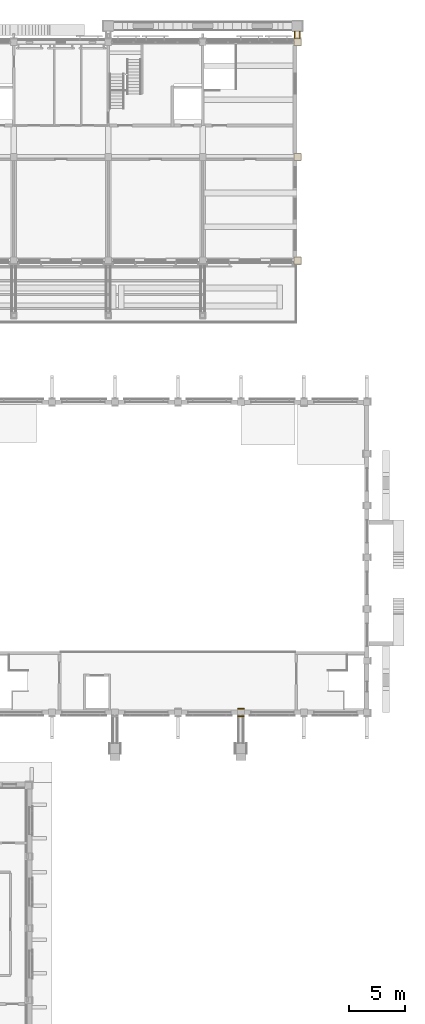
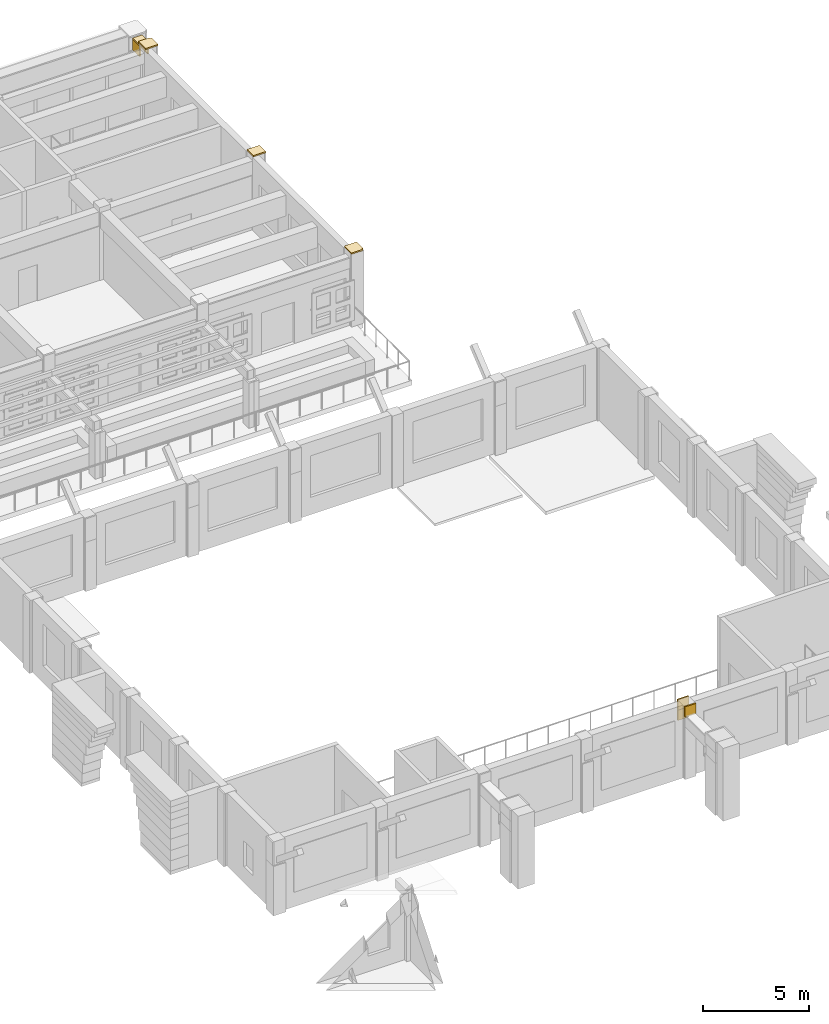
# One storey, part 68 of 68: 9 coverings.
"""IFC4 building model written with IfcOpenShell, lengths in metres."""

from ifc_helpers import new_model, si_unit, direction, frame, origin, place, context, subcontext, project, spatial, polyline, outline, extrude, material, layer, layer_set, type_object, element, save


model = new_model("IFC4")

# Units and contexts
model_context = context("Model", 3, precision=1e-05, world=origin(), true_north=direction((0.0, 1.0)))
body_context = subcontext(model_context, "Body", "Model", "MODEL_VIEW")
ifc_project = project(units=[si_unit("LENGTHUNIT", "METRE"), si_unit("AREAUNIT", "SQUARE_METRE"), si_unit("VOLUMEUNIT", "CUBIC_METRE"), si_unit("PLANEANGLEUNIT", "RADIAN"), si_unit("MASSUNIT", "GRAM", prefix="KILO")], contexts=[model_context])

# Site, building, storey
site_placement = place(None, origin())
site = spatial("IfcSite", under=ifc_project, at=site_placement, CompositionType="ELEMENT")
building_placement = place(site_placement, origin())
building = spatial("IfcBuilding", under=site, at=building_placement, Name="Wasatch Bagh Community Centre", CompositionType="ELEMENT")
storey_placement = place(building_placement, frame((0.0, 0.0, 8.39990234375)))
storey = spatial("IfcBuildingStorey", under=building, at=storey_placement, Name="L02", CompositionType="ELEMENT", Elevation=8.39990234375)

# Coverings
ifc_material = material(Name="Cast stone cladding", Category="masonry")
ifc_layer_1 = layer(ifc_material, 0.080078125)
ifc_layer_set_1 = layer_set([ifc_layer_1], Name="Cast stone cladding")
covering_type_1 = type_object("IfcCoveringType", Name="CL-B7 beam facing", PredefinedType="CLADDING", material=ifc_layer_set_1)
covering_1_placement = place(storey_placement, frame((0.0, 0.0, 3.400146484375)))
element("IfcCovering", 1, at=covering_1_placement, inside=storey, type_object=covering_type_1, Name="Beam facing", PredefinedType="CLADDING", context=body_context, shape_type="SweptSolid", body=[
    extrude(outline(polyline([(139.425048828125, 98.14990234375), (139.425048828125, 98.800048828125), (139.344970703125, 98.800048828125), (139.344970703125, 98.14990234375), (139.425048828125, 98.14990234375)])), origin(), (0.0, 0.0, 1.0), 0.599853515625),
])
covering_2_placement = place(storey_placement, frame((0.0, 0.0, 3.400146484375)))
element("IfcCovering", 2, at=covering_2_placement, inside=storey, type_object=covering_type_1, Name="Beam facing", PredefinedType="CLADDING", context=body_context, shape_type="SweptSolid", body=[
    extrude(outline(polyline([(139.77490234375, 98.14990234375), (139.77490234375, 98.800048828125), (139.85498046875, 98.800048828125), (139.85498046875, 98.14990234375), (139.77490234375, 98.14990234375)])), origin(), (0.0, 0.0, 1.0), 0.599853515625),
])
covering_3_placement = place(storey_placement, frame((0.0, 0.0, 4.0)))
element("IfcCovering", 3, at=covering_3_placement, inside=storey, type_object=covering_type_1, Name="Beam facing", PredefinedType="CLADDING", context=body_context, shape_type="SweptSolid", body=[
    extrude(outline(polyline([(139.85498046875, 98.14990234375), (139.85498046875, 98.800048828125), (139.344970703125, 98.800048828125), (139.344970703125, 98.14990234375), (139.85498046875, 98.14990234375)])), origin(), (0.0, 0.0, 1.0), 0.080078125),
])
ifc_layer_2 = layer(ifc_material, 0.080078125)
ifc_layer_set_2 = layer_set([ifc_layer_2], Name="Cast stone cladding")
covering_type_2 = type_object("IfcCoveringType", Name="CL-C1 column facing", PredefinedType="CLADDING", material=ifc_layer_set_2)
covering_4_placement = place(storey_placement, frame((0.0, 0.0, 4.2001953125)))
element("IfcCovering", 4, at=covering_4_placement, inside=storey, type_object=covering_type_2, Name="Column facing", PredefinedType="CLADDING", context=body_context, shape_type="SweptSolid", body=[
    extrude(outline(polyline([(139.300048828125, 87.300048828125), (139.300048828125, 87.89990234375), (139.97998046875, 87.89990234375), (139.97998046875, 87.300048828125), (139.300048828125, 87.300048828125)])), origin(), (0.0, 0.0, 1.0), 0.079833984375),
])
covering_5_placement = place(storey_placement, frame((0.0, 0.0, 4.2001953125)))
element("IfcCovering", 5, at=covering_5_placement, inside=storey, type_object=covering_type_2, Name="Column facing", PredefinedType="CLADDING", context=body_context, shape_type="SweptSolid", body=[
    extrude(outline(polyline([(139.300048828125, 97.5), (139.300048828125, 98.179931640625), (139.89990234375, 98.179931640625), (139.89990234375, 98.10009765625), (139.97998046875, 98.10009765625), (139.97998046875, 97.5), (139.300048828125, 97.5)])), origin(), (0.0, 0.0, 1.0), 0.079833984375),
])
covering_6_placement = place(storey_placement, frame((0.0, 0.0, 4.2001953125)))
element("IfcCovering", 6, at=covering_6_placement, inside=storey, type_object=covering_type_2, Name="Column facing", PredefinedType="CLADDING", context=body_context, shape_type="SweptSolid", body=[
    extrude(outline(polyline([(139.89990234375, 78.02001953125), (139.300048828125, 78.02001953125), (139.300048828125, 78.699951171875), (139.97998046875, 78.699951171875), (139.97998046875, 78.10009765625), (139.89990234375, 78.10009765625), (139.89990234375, 78.02001953125)])), origin(), (0.0, 0.0, 1.0), 0.079833984375),
])
covering_7_placement = place(storey_placement, frame((0.0, 0.0, 3.0)))
element("IfcCovering", 7, at=covering_7_placement, inside=storey, type_object=covering_type_2, Name="Column facing", PredefinedType="CLADDING", context=body_context, shape_type="SweptSolid", body=[
    extrude(outline(polyline([(134.89990234375, 38.5), (134.300048828125, 38.5), (134.300048828125, 38.580078125), (134.89990234375, 38.580078125), (134.89990234375, 38.5)])), origin(), (0.0, 0.0, 1.0), 0.60009765625),
])
covering_8_placement = place(storey_placement, frame((0.0, 0.0, 3.60009765625)))
element("IfcCovering", 8, at=covering_8_placement, inside=storey, type_object=covering_type_2, Name="Column facing", PredefinedType="CLADDING", context=body_context, shape_type="SweptSolid", body=[
    extrude(outline(polyline([(134.300048828125, 38.5), (134.300048828125, 38.580078125), (134.89990234375, 38.580078125), (134.89990234375, 38.5), (134.300048828125, 38.5)])), origin(), (0.0, 0.0, 1.0), 0.60009765625),
])
covering_9_placement = place(storey_placement, frame((0.0, 0.0, 3.60009765625)))
element("IfcCovering", 9, at=covering_9_placement, inside=storey, type_object=covering_type_2, Name="Column facing", PredefinedType="CLADDING", context=body_context, shape_type="SweptSolid", body=[
    extrude(outline(polyline([(134.89990234375, 37.89990234375), (134.89990234375, 37.820068359375), (134.300048828125, 37.820068359375), (134.300048828125, 37.89990234375), (134.89990234375, 37.89990234375)])), origin(), (0.0, 0.0, 1.0), 0.60009765625),
])

save(model, "model.ifc")
